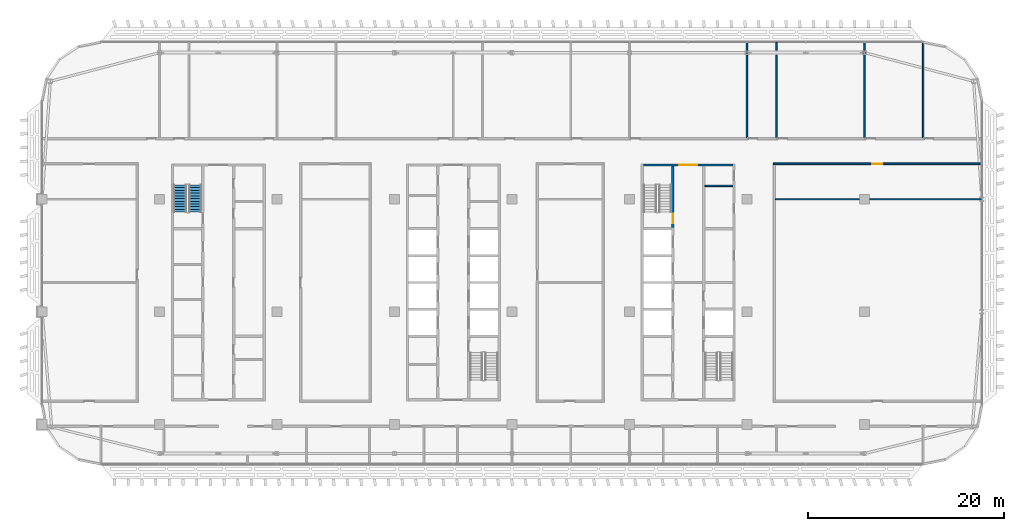
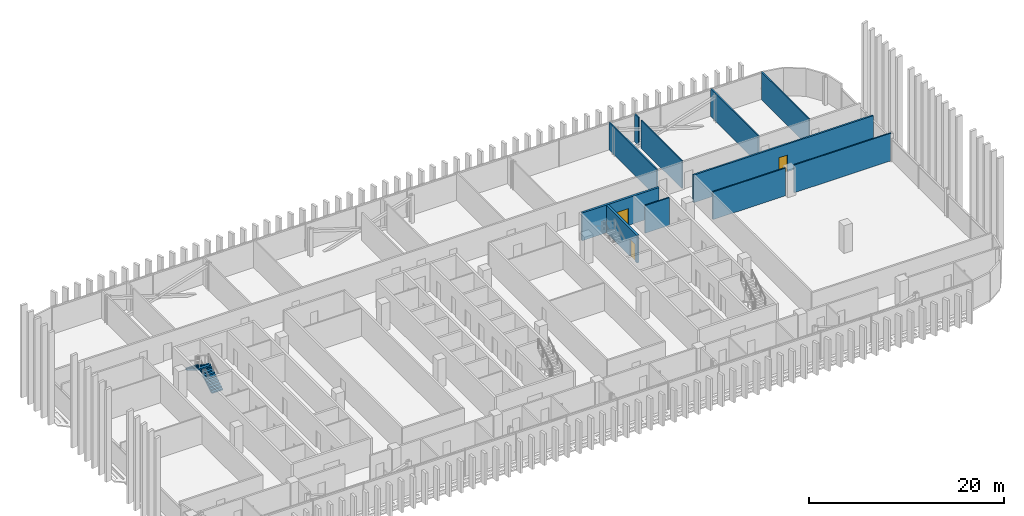
# One storey, part 21 of 32: 11 walls, 3 doors, 2 stair flights, 3 openings, 1 element without a shape of its own.
"""IFC4 building model written with IfcOpenShell, lengths in metres."""

from ifc_helpers import new_model, si_unit, direction, frame, frame_2d, origin, place, context, subcontext, project, spatial, polyline, rectangle, outline, extrude, material, layer, layer_set, type_object, element, fill, aggregate, save


model = new_model("IFC4")

# Units and contexts
model_context = context("Model", 3, precision=1e-05, world=origin(), true_north=direction((0.0, 1.0)))
body_context = subcontext(model_context, "Body", "Model", "MODEL_VIEW")
ifc_project = project(units=[si_unit("LENGTHUNIT", "METRE"), si_unit("AREAUNIT", "SQUARE_METRE"), si_unit("VOLUMEUNIT", "CUBIC_METRE"), si_unit("PLANEANGLEUNIT", "RADIAN"), si_unit("MASSUNIT", "GRAM", prefix="KILO")], contexts=[model_context])

# Site, building, storey
site_placement = place(None, origin())
site = spatial("IfcSite", under=ifc_project, at=site_placement, CompositionType="ELEMENT")
building_placement = place(site_placement, origin())
building = spatial("IfcBuilding", under=site, at=building_placement, Name="Mahtab Terrace Research Tower", CompositionType="ELEMENT")
storey_placement = place(building_placement, frame((0.0, 0.0, 243.800048828125)))
storey = spatial("IfcBuildingStorey", under=building, at=storey_placement, Name="L59", CompositionType="ELEMENT", Elevation=243.800048828125)

# Wall
ifc_material_1 = material(Name="Gypsum board partition")
ifc_layer_1 = layer(ifc_material_1, 0.14990234375)
ifc_layer_set_1 = layer_set([ifc_layer_1], Name="Core partition 150")
wall_type_1 = type_object("IfcWallType", Name="Core partition 150", PredefinedType="PARTITIONING", material=ifc_layer_set_1)
wall_1_placement = place(storey_placement, frame((25.699951171875, 12.875, 0.0), z_axis=(0.0, 0.0, 1.0), x_axis=(1.0, 0.0, 0.0)))
element("IfcWall", 1, at=wall_1_placement, inside=storey, type_object=wall_type_1, Name="Core wall C pEN988", PredefinedType="PARTITIONING", context=body_context, shape_type="SweptSolid", body=[
    extrude(rectangle(XDim=2.85009765625, YDim=0.14990234375, at=frame_2d((1.425048828125, 0.0))), origin(), (0.0, 0.0, 1.0), 3.4599609375),
])

# Wall, opening, door
ifc_material_2 = material(Name="Concrete C70/85", Category="concrete")
ifc_layer_2 = layer(ifc_material_2, 0.25)
ifc_layer_set_2 = layer_set([ifc_layer_2], Name="Core wall 250")
wall_type_2 = type_object("IfcWallType", Name="Core wall 250", PredefinedType="SOLIDWALL", material=ifc_layer_set_2)
wall_2_placement = place(storey_placement, frame((19.449951171875, 15.0, 0.0), z_axis=(0.0, 0.0, 1.0), x_axis=(1.0, 0.0, 0.0)))
wall_2 = element("IfcWall", 2, at=wall_2_placement, inside=storey, type_object=wall_type_2, Name="Core wall C endN", PredefinedType="SOLIDWALL", context=body_context, shape_type="SweptSolid", body=[
    extrude(rectangle(XDim=9.10009765625, YDim=0.25, at=frame_2d((4.550048828125, 0.0))), origin(), (0.0, 0.0, 1.0), 3.4599609375),
])
opening_1_placement = place(wall_2_placement, frame((3.64990234375, 0.0, 0.0)))
opening_1 = element("IfcOpeningElement", 3, at=opening_1_placement, cuts=wall_2, Name="Opening C-N1", PredefinedType="OPENING", context=body_context, shape_type="SweptSolid", body=[
    extrude(rectangle(XDim=1.800048828125, YDim=2.10009765625, at=frame_2d((0.89990234375, 1.050048828125))), frame((0.0, 0.135009765625, 0.0), z_axis=(0.0, -1.0, 0.0), x_axis=(1.0, 0.0, 0.0)), (0.0, 0.0, 1.0), 0.27001953125),
])
ifc_material_3 = material(Name="Steel fire door", Category="steel")
door_type_1 = type_object("IfcDoorType", Name="Lobby double door 1800x2100 1 HR", OperationType="DOUBLE_DOOR_SINGLE_SWING", PredefinedType="DOOR", material=ifc_material_3)
door_1_placement = place(opening_1_placement, origin())
door_1 = element("IfcDoor", 4, at=door_1_placement, inside=storey, type_object=door_type_1, Name="Core entrance door C N", OperationType="DOUBLE_DOOR_SINGLE_SWING", OverallHeight=2.10009765625, OverallWidth=1.800048828125, PredefinedType="DOOR", context=body_context, shape_type="SweptSolid", body=[
    extrude(rectangle(XDim=1.800048828125, YDim=2.10009765625, at=frame_2d((0.89990234375, 1.050048828125))), frame((0.0, 0.02490234375, 0.0), z_axis=(0.0, -1.0, 0.0), x_axis=(1.0, 0.0, 0.0)), (0.0, 0.0, 1.0), 0.050048828125),
])
fill(opening_1, door_1)

wall_3_placement = place(storey_placement, frame((22.425048828125, 14.875, 0.0), z_axis=(0.0, 0.0, 1.0), x_axis=(0.0, -1.0, 0.0)))
wall_3 = element("IfcWall", 5, at=wall_3_placement, inside=storey, type_object=wall_type_2, Name="Core wall C innerWN", PredefinedType="SOLIDWALL", context=body_context, shape_type="SweptSolid", body=[
    extrude(rectangle(XDim=6.25, YDim=0.25, at=frame_2d((3.125, 0.0))), origin(), (0.0, 0.0, 1.0), 3.4599609375),
])
opening_2_placement = place(wall_3_placement, frame((4.85009765625, 0.0, 0.0)))
opening_2 = element("IfcOpeningElement", 6, at=opening_2_placement, cuts=wall_3, Name="Opening C-ST3", PredefinedType="OPENING", context=body_context, shape_type="SweptSolid", body=[
    extrude(rectangle(XDim=1.0, YDim=2.10009765625, at=frame_2d((0.5, 1.050048828125))), frame((0.0, 0.135009765625, 0.0), z_axis=(0.0, -1.0, 0.0), x_axis=(1.0, 0.0, 0.0)), (0.0, 0.0, 1.0), 0.27001953125),
])
door_type_2 = type_object("IfcDoorType", Name="Stair door 1000x2100 1.5 HR", OperationType="NOTDEFINED", PredefinedType="DOOR", material=ifc_material_3)
door_2_placement = place(opening_2_placement, origin())
door_2 = element("IfcDoor", 7, at=door_2_placement, inside=storey, type_object=door_type_2, Name="Stair door ST3 L59", OperationType="SINGLE_SWING_LEFT", OverallHeight=2.10009765625, OverallWidth=1.0, PredefinedType="DOOR", context=body_context, shape_type="SweptSolid", body=[
    extrude(rectangle(XDim=1.0, YDim=2.10009765625, at=frame_2d((0.5, 1.050048828125))), frame((0.0, 0.02490234375, 0.0), z_axis=(0.0, -1.0, 0.0), x_axis=(1.0, 0.0, 0.0)), (0.0, 0.0, 1.0), 0.050048828125),
])
fill(opening_2, door_2)

ifc_material_4 = material(Name="Gypsum board corridor wall on steel studs", Category="steel")
ifc_layer_3 = layer(ifc_material_4, 0.199951171875)
ifc_layer_set_3 = layer_set([ifc_layer_3], Name="WALL CORRIDOR 200")
wall_type_3 = type_object("IfcWallType", Name="WALL CORRIDOR 200", PredefinedType="PARTITIONING", material=ifc_layer_set_3)
wall_4_placement = place(storey_placement, frame((32.699951171875, 15.125, 0.0), z_axis=(0.0, 0.0, 1.0), x_axis=(1.0, 0.0, 0.0)))
wall_4 = element("IfcWall", 8, at=wall_4_placement, inside=storey, type_object=wall_type_3, Name="L59-W024", PredefinedType="PARTITIONING", context=body_context, shape_type="SweptSolid", body=[
    extrude(rectangle(XDim=21.275146484375, YDim=0.199951171875, at=frame_2d((10.6376953125, 0.0))), origin(), (0.0, 0.0, 1.0), 3.4599609375),
])
opening_3_placement = place(wall_4_placement, frame((10.10009765625, 0.0, 0.0)))
opening_3 = element("IfcOpeningElement", 9, at=opening_3_placement, cuts=wall_4, Name="Opening L59-126", PredefinedType="OPENING", context=body_context, shape_type="SweptSolid", body=[
    extrude(rectangle(XDim=1.0, YDim=2.10009765625, at=frame_2d((0.5, 1.050048828125))), frame((0.0, 0.10986328125, 0.0), z_axis=(0.0, -1.0, 0.0), x_axis=(1.0, 0.0, 0.0)), (0.0, 0.0, 1.0), 0.219970703125),
])
ifc_material_5 = material(Name="Timber door leaf in steel frame", Category="steel")
door_type_3 = type_object("IfcDoorType", Name="DOOR 1000X2100 FD30S", OperationType="SINGLE_SWING_LEFT", PredefinedType="DOOR", material=ifc_material_5)
door_3_placement = place(opening_3_placement, origin())
door_3 = element("IfcDoor", 10, at=door_3_placement, inside=storey, type_object=door_type_3, Name="Door L59-126", OperationType="SINGLE_SWING_LEFT", OverallHeight=2.10009765625, OverallWidth=1.0, PredefinedType="DOOR", context=body_context, shape_type="SweptSolid", body=[
    extrude(rectangle(XDim=1.0, YDim=2.10009765625, at=frame_2d((0.5, 1.050048828125))), frame((0.0, 0.02490234375, 0.0), z_axis=(0.0, -1.0, 0.0), x_axis=(1.0, 0.0, 0.0)), (0.0, 0.0, 1.0), 0.050048828125),
])
fill(opening_3, door_3)

# Walls
ifc_material_6 = material(Name="Gypsum board partition on steel studs", Category="steel")
ifc_layer_4 = layer(ifc_material_6, 0.14990234375)
ifc_layer_set_4 = layer_set([ifc_layer_4], Name="WALL PARTITION 150")
wall_type_4 = type_object("IfcWallType", Name="WALL PARTITION 150", PredefinedType="PARTITIONING", material=ifc_layer_set_4)
wall_5_placement = place(storey_placement, frame((32.89990234375, 11.5, 0.0), z_axis=(0.0, 0.0, 1.0), x_axis=(1.0, 0.0, 0.0)))
element("IfcWall", 11, at=wall_5_placement, inside=storey, type_object=wall_type_4, Name="L59-W019", PredefinedType="PARTITIONING", context=body_context, shape_type="SweptSolid", body=[
    extrude(rectangle(XDim=8.60009765625, YDim=0.14990234375, at=frame_2d((4.300048828125, 0.0))), origin(), (0.0, 0.0, 1.0), 3.4599609375),
])
wall_6_placement = place(storey_placement, frame((42.5, 11.5, 0.0), z_axis=(0.0, 0.0, 1.0), x_axis=(1.0, 0.0, 0.0)))
element("IfcWall", 12, at=wall_6_placement, inside=storey, type_object=wall_type_4, Name="L59-W020", PredefinedType="PARTITIONING", context=body_context, shape_type="SweptSolid", body=[
    extrude(rectangle(XDim=11.47509765625, YDim=0.14990234375, at=frame_2d((5.737548828125, 0.0))), origin(), (0.0, 0.0, 1.0), 3.4599609375),
])
wall_7_placement = place(storey_placement, frame((30.0, 17.800048828125, 0.0), z_axis=(0.0, 0.0, 1.0), x_axis=(0.0, 1.0, 0.0)))
element("IfcWall", 13, at=wall_7_placement, inside=storey, type_object=wall_type_4, Name="L59-W053", PredefinedType="PARTITIONING", context=body_context, shape_type="SweptSolid", body=[
    extrude(rectangle(XDim=9.73095703125, YDim=0.14990234375, at=frame_2d((4.865478515625, 0.0))), origin(), (0.0, 0.0, 1.0), 3.4599609375),
])
wall_8_placement = place(storey_placement, frame((33.0, 17.800048828125, 0.0), z_axis=(0.0, 0.0, 1.0), x_axis=(0.0, 1.0, 0.0)))
element("IfcWall", 14, at=wall_8_placement, inside=storey, type_object=wall_type_4, Name="L59-W056", PredefinedType="PARTITIONING", context=body_context, shape_type="SweptSolid", body=[
    extrude(rectangle(XDim=8.420654296875, YDim=0.14990234375, at=frame_2d((4.21044921875, 0.0))), origin(), (0.0, 0.0, 1.0), 3.4599609375),
])
wall_9_placement = place(storey_placement, frame((33.0, 26.725341796875, 0.0), z_axis=(0.0, 0.0, 1.0), x_axis=(0.0, 1.0, 0.0)))
element("IfcWall", 15, at=wall_9_placement, inside=storey, type_object=wall_type_4, Name="L59-W057", PredefinedType="PARTITIONING", context=body_context, shape_type="SweptSolid", body=[
    extrude(rectangle(XDim=0.8056640625, YDim=0.14990234375, at=frame_2d((0.40283203125, 0.0))), origin(), (0.0, 0.0, 1.0), 3.4599609375),
])
for number, where, z_axis, x_axis, name in (
    (16, (42.0, 17.800048828125, 0.0), (0.0, 0.0, 1.0), (0.0, 1.0, 0.0), "L59-W058"),
    (17, (48.0, 17.800048828125, 0.0), (0.0, 0.0, 1.0), (0.0, 1.0, 0.0), "L59-W060"),
):
    element("IfcWall", number, at=place(storey_placement, frame(where, z_axis=z_axis, x_axis=x_axis)), inside=storey, type_object=wall_type_4, Name=name, PredefinedType="PARTITIONING", context=body_context, shape_type="SweptSolid", body=[
        extrude(rectangle(XDim=9.73095703125, YDim=0.14990234375, at=frame_2d((4.865478515625, 0.0))), origin(), (0.0, 0.0, 1.0), 3.4599609375),
    ])

# Stair, stair flights
ifc_material_7 = material(Name="Exit stair half-turn")
stair_type = type_object("IfcStairType", Name="Exit stair half-turn", PredefinedType="HALF_TURN_STAIR", material=ifc_material_7)
stair_placement = place(storey_placement, origin())
stair = element("IfcStair", 18, at=stair_placement, inside=storey, type_object=stair_type, Name="L59 Protected exit stair ST1", PredefinedType="HALF_TURN_STAIR")
ifc_material_8 = material(Name="Concrete C40/50", Category="concrete")
stair_flight_type = type_object("IfcStairFlightType", Name="Exit stair flight 1300", PredefinedType="STRAIGHT", material=ifc_material_8)
stair_flight_1_placement = place(storey_placement, frame((-26.35009765625, 10.175048828125, 0.0), z_axis=(0.0, 0.0, 1.0), x_axis=(0.0, 1.0, 0.0)))
stair_flight_1 = element("IfcStairFlight", 19, at=stair_flight_1_placement, type_object=stair_flight_type, Name="ST1 flight 1", NumberOfRisers=11, NumberOfTreads=10, PredefinedType="STRAIGHT", RiserHeight=0.172727273, TreadLength=0.28, context=body_context, shape_type="SweptSolid", body=[
    extrude(outline(polyline([(0.0, 0.0), (0.0, 0.172607421875), (0.280029296875, 0.172607421875), (0.280029296875, 0.345458984375), (0.56005859375, 0.345458984375), (0.56005859375, 0.51806640625), (0.840087890625, 0.51806640625), (0.840087890625, 0.69091796875), (1.1201171875, 0.69091796875), (1.1201171875, 0.863525390625), (1.39990234375, 0.863525390625), (1.39990234375, 1.036376953125), (1.679931640625, 1.036376953125), (1.679931640625, 1.208984375), (1.9599609375, 1.208984375), (1.9599609375, 1.3818359375), (2.239990234375, 1.3818359375), (2.239990234375, 1.554443359375), (2.52001953125, 1.554443359375), (2.52001953125, 1.727294921875), (2.800048828125, 1.727294921875), (2.800048828125, 1.89990234375), (2.800048828125, 1.551025390625), (0.285400390625, 0.0), (0.0, 0.0)])), frame((0.0, 0.64990234375, 0.0), z_axis=(0.0, -1.0, 0.0), x_axis=(1.0, 0.0, 0.0)), (0.0, 0.0, 1.0), 1.300048828125),
])
stair_flight_2_placement = place(storey_placement, frame((-27.89990234375, 12.97509765625, 1.89990234375), z_axis=(0.0, 0.0, 1.0), x_axis=(0.0, -1.0, 0.0)))
stair_flight_2 = element("IfcStairFlight", 20, at=stair_flight_2_placement, type_object=stair_flight_type, Name="ST1 flight 2", NumberOfRisers=11, NumberOfTreads=10, PredefinedType="STRAIGHT", RiserHeight=0.172727273, TreadLength=0.28, context=body_context, shape_type="SweptSolid", body=[
    extrude(outline(polyline([(0.0, 0.0), (0.0, 0.172607421875), (0.280029296875, 0.172607421875), (0.280029296875, 0.345458984375), (0.56005859375, 0.345458984375), (0.56005859375, 0.51806640625), (0.840087890625, 0.51806640625), (0.840087890625, 0.69091796875), (1.1201171875, 0.69091796875), (1.1201171875, 0.863525390625), (1.39990234375, 0.863525390625), (1.39990234375, 1.036376953125), (1.679931640625, 1.036376953125), (1.679931640625, 1.208984375), (1.9599609375, 1.208984375), (1.9599609375, 1.3818359375), (2.239990234375, 1.3818359375), (2.239990234375, 1.554443359375), (2.52001953125, 1.554443359375), (2.52001953125, 1.727294921875), (2.800048828125, 1.727294921875), (2.800048828125, 1.89990234375), (2.800048828125, 1.551025390625), (0.285400390625, 0.0), (0.0, 0.0)])), frame((0.0, 0.64990234375, 0.0), z_axis=(0.0, -1.0, 0.0), x_axis=(1.0, 0.0, 0.0)), (0.0, 0.0, 1.0), 1.300048828125),
])
aggregate(stair, [stair_flight_1, stair_flight_2])

save(model, "model.ifc")
